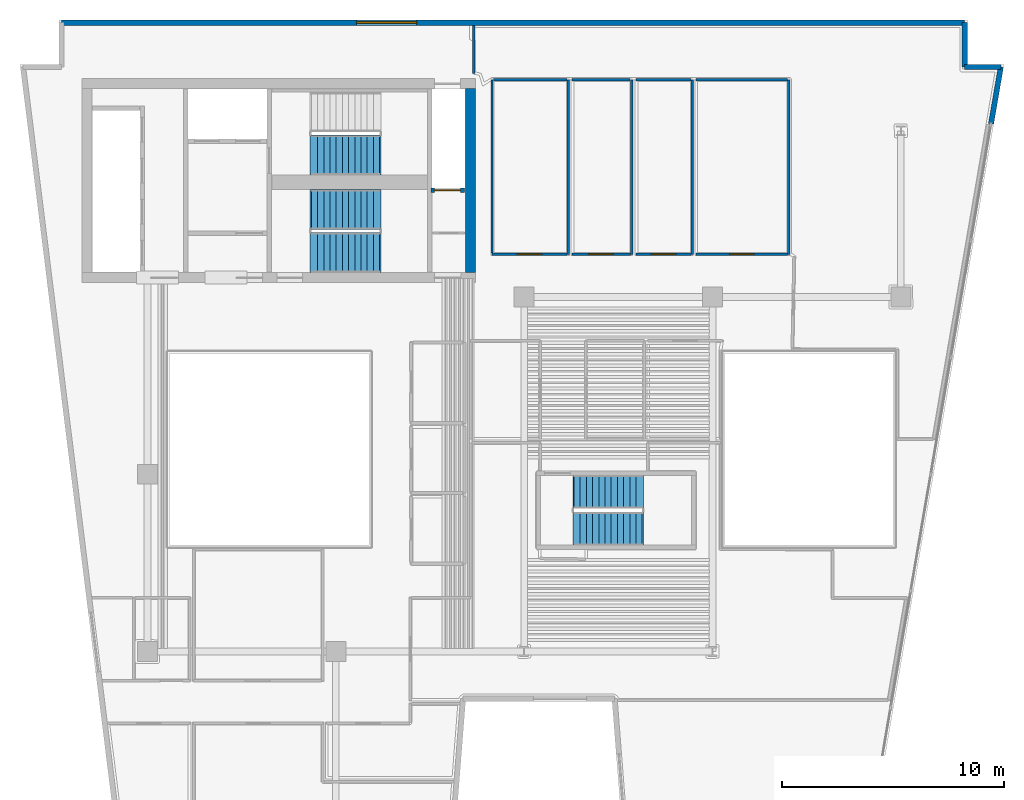
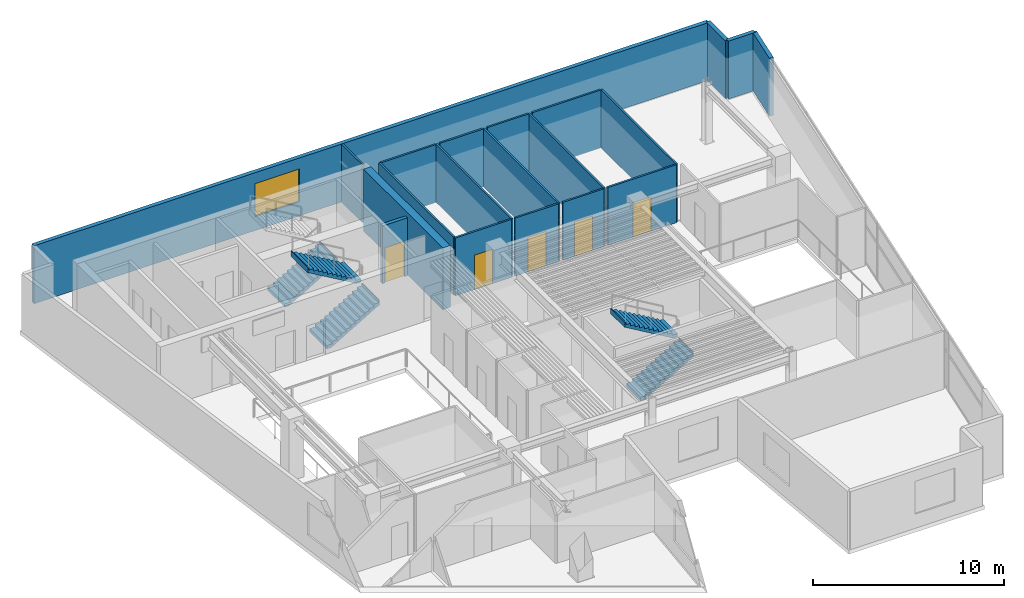
# One storey, part 6 of 10: 20 walls, 5 doors, 5 stair flights, 1 window, 6 openings, 3 elements without a shape of their own.
"""IFC4 building model written with IfcOpenShell, lengths in metres."""

from ifc_helpers import new_model, si_unit, direction, frame, frame_2d, origin, place, context, subcontext, project, spatial, polyline, rectangle, outline, extrude, material, layer, layer_set, type_object, element, fill, aggregate, save


model = new_model("IFC4")

# Units and contexts
model_context = context("Model", 3, precision=1e-05, world=origin(), true_north=direction((0.0, 1.0)))
body_context = subcontext(model_context, "Body", "Model", "MODEL_VIEW")
ifc_project = project(units=[si_unit("LENGTHUNIT", "METRE"), si_unit("AREAUNIT", "SQUARE_METRE"), si_unit("VOLUMEUNIT", "CUBIC_METRE"), si_unit("PLANEANGLEUNIT", "RADIAN"), si_unit("MASSUNIT", "GRAM", prefix="KILO")], contexts=[model_context])

# Site, building, storey
site_placement = place(None, origin())
site = spatial("IfcSite", under=ifc_project, at=site_placement, CompositionType="ELEMENT")
building_placement = place(site_placement, origin())
building = spatial("IfcBuilding", under=site, at=building_placement, Name="Caeloran Harvest Quay", CompositionType="ELEMENT")
storey_placement = place(building_placement, frame((0.0, 0.0, 223.25)))
storey = spatial("IfcBuildingStorey", under=building, at=storey_placement, Name="L53", CompositionType="ELEMENT", Elevation=223.25)

# Wall, opening, window
ifc_material_1 = material(Name="Precast concrete C50/60", Category="concrete")
ifc_layer_1 = layer(ifc_material_1, 0.239990234375, Name="Precast concrete C50/60")
ifc_layer_set_1 = layer_set([ifc_layer_1], Name="Precast concrete C50/60")
wall_type_1 = type_object("IfcWallType", Name="ENV-WALL-EW-240", PredefinedType="STANDARD", material=ifc_layer_set_1)
wall_1_placement = place(storey_placement, frame((4.6201171875, 43.3798828125, 0.0), z_axis=(0.0, 0.0, 1.0), x_axis=(1.0, 0.0, 0.0)))
wall_1 = element("IfcWall", 1, at=wall_1_placement, inside=storey, type_object=wall_type_1, Name="L53 Exterior Precast Concrete Facade Wall 6", PredefinedType="STANDARD", context=body_context, shape_type="SweptSolid", body=[
    extrude(rectangle(XDim=40.759765625, YDim=0.239990234375, at=frame_2d((20.3798828125, 0.0))), origin(), (0.0, 0.0, 1.0), 3.699951171875),
])
opening_1_placement = place(wall_1_placement, frame((13.323974609375, 0.0, 0.89990234375)))
opening_1 = element("IfcOpeningElement", 2, at=opening_1_placement, cuts=wall_1, Name="Opening W-07", PredefinedType="OPENING", context=body_context, shape_type="SweptSolid", body=[
    extrude(rectangle(XDim=2.699951171875, YDim=2.10009765625, at=frame_2d((1.35009765625, 1.050048828125))), frame((0.0, 0.1298828125, 0.0), z_axis=(0.0, -1.0, 0.0), x_axis=(1.0, 0.0, 0.0)), (0.0, 0.0, 1.0), 0.260009765625),
])
ifc_material_2 = material(Name="Aluminium-Framed Low-E Laminated Glass", Category="aluminium")
window_type = type_object("IfcWindowType", Name="WIN-W-07", PartitioningType="DOUBLE_PANEL_VERTICAL", PredefinedType="WINDOW", material=ifc_material_2)
window_placement = place(opening_1_placement, origin())
window = element("IfcWindow", 3, at=window_placement, inside=storey, type_object=window_type, Name="L53 Facade Punched Window W-07", OverallHeight=2.10009765625, OverallWidth=2.699951171875, PartitioningType="DOUBLE_PANEL_VERTICAL", PredefinedType="WINDOW", context=body_context, shape_type="SweptSolid", body=[
    extrude(rectangle(XDim=2.699951171875, YDim=2.10009765625, at=frame_2d((1.35009765625, 1.050048828125))), frame((0.0, 0.030029296875, 0.0), z_axis=(0.0, -1.0, 0.0), x_axis=(1.0, 0.0, 0.0)), (0.0, 0.0, 1.0), 0.06005859375),
])
fill(opening_1, window)

# Walls
wall_2_placement = place(storey_placement, frame((45.3798828125, 43.3798828125, 0.0), z_axis=(0.0, 0.0, 1.0), x_axis=(0.0, -1.0, 0.0)))
element("IfcWall", 4, at=wall_2_placement, inside=storey, type_object=wall_type_1, Name="L53 Exterior Precast Concrete Facade Wall 7", PredefinedType="STANDARD", context=body_context, shape_type="SweptSolid", body=[
    extrude(rectangle(XDim=2.0, YDim=0.239990234375, at=frame_2d((1.0, 0.0))), origin(), (0.0, 0.0, 1.0), 3.699951171875),
])
wall_3_placement = place(storey_placement, frame((45.3798828125, 41.3798828125, 0.0), z_axis=(0.0, 0.0, 1.0), x_axis=(1.0, 0.0, 0.0)))
element("IfcWall", 5, at=wall_3_placement, inside=storey, type_object=wall_type_1, Name="L53 Exterior Precast Concrete Facade Wall 8", PredefinedType="STANDARD", context=body_context, shape_type="SweptSolid", body=[
    extrude(rectangle(XDim=1.634033203125, YDim=0.239990234375, at=frame_2d((0.81689453125, 0.0))), origin(), (0.0, 0.0, 1.0), 3.699951171875),
])
wall_4_placement = place(storey_placement, frame((47.013916015625, 41.3798828125, 0.0), z_axis=(0.0, 0.0, 1.0), x_axis=(-0.169406892601, -0.985546196147, 0.0)))
element("IfcWall", 6, at=wall_4_placement, inside=storey, type_object=wall_type_1, Name="L53 Exterior Facade Corner Pier Wall 9A", PredefinedType="STANDARD", context=body_context, shape_type="SweptSolid", body=[
    extrude(rectangle(XDim=2.599853515625, YDim=0.239990234375, at=frame_2d((1.2998046875, 0.0))), origin(), (0.0, 0.0, 1.0), 3.699951171875),
])
ifc_material_3 = material(Name="Single-Stud Acoustic Gypsum Office Partition", Category="gypsum")
ifc_layer_2 = layer(ifc_material_3, 0.112060546875, Name="Single-Stud Acoustic Gypsum Office Partition")
ifc_layer_set_2 = layer_set([ifc_layer_2], Name="Single-Stud Acoustic Gypsum Office Partition")
wall_type_2 = type_object("IfcWallType", Name="INT-WALL-PW-112", PredefinedType="PARTITIONING", material=ifc_layer_set_2)
wall_5_placement = place(storey_placement, frame((27.5, 40.800048828125, 0.0), z_axis=(0.0, 0.0, 1.0), x_axis=(0.0, -1.0, 0.0)))
element("IfcWall", 7, at=wall_5_placement, inside=storey, type_object=wall_type_2, Name="L53 Bioinformatics Briefing Lounge Partition Wall", PredefinedType="PARTITIONING", context=body_context, shape_type="SweptSolid", body=[
    extrude(rectangle(XDim=7.880126953125, YDim=0.112060546875, at=frame_2d((3.93994140625, 0.0))), origin(), (0.0, 0.0, 1.0), 3.699951171875),
])

# Wall, opening, door
wall_6_placement = place(storey_placement, frame((27.43896484375, 32.919921875, 0.0), z_axis=(0.0, 0.0, 1.0), x_axis=(-1.0, 0.0, 0.0)))
wall_6 = element("IfcWall", 8, at=wall_6_placement, inside=storey, type_object=wall_type_2, Name="L53 Bioinformatics Briefing Lounge Partition Wall", PredefinedType="PARTITIONING", context=body_context, shape_type="SweptSolid", body=[
    extrude(rectangle(XDim=3.388916015625, YDim=0.112060546875, at=frame_2d((1.6943359375, 0.0))), origin(), (0.0, 0.0, 1.0), 3.699951171875),
])
opening_2_placement = place(wall_6_placement, frame((1.14453125, 0.0, 0.0)))
opening_2 = element("IfcOpeningElement", 9, at=opening_2_placement, cuts=wall_6, Name="Opening ID-04", PredefinedType="OPENING", context=body_context, shape_type="SweptSolid", body=[
    extrude(rectangle(XDim=1.10009765625, YDim=2.199951171875, at=frame_2d((0.550048828125, 1.10009765625))), frame((0.0, 0.06591796875, 0.0), z_axis=(0.0, -1.0, 0.0), x_axis=(1.0, 0.0, 0.0)), (0.0, 0.0, 1.0), 0.132080078125),
])
ifc_material_4 = material(Name="Acoustic Walnut Veneer Executive Door", Category="wood")
door_type_1 = type_object("IfcDoorType", Name="INTDOOR-ID-04", OperationType="NOTDEFINED", PredefinedType="DOOR", material=ifc_material_4)
door_1_placement = place(opening_2_placement, origin())
door_1 = element("IfcDoor", 10, at=door_1_placement, inside=storey, type_object=door_type_1, Name="L53 Bioinformatics Briefing Lounge Access Door", OperationType="SINGLE_SWING_LEFT", OverallHeight=2.199951171875, OverallWidth=1.10009765625, PredefinedType="DOOR", context=body_context, shape_type="SweptSolid", body=[
    extrude(rectangle(XDim=1.10009765625, YDim=2.199951171875, at=frame_2d((0.550048828125, 1.10009765625))), frame((0.0, 0.02490234375, 0.0), z_axis=(0.0, -1.0, 0.0), x_axis=(1.0, 0.0, 0.0)), (0.0, 0.0, 1.0), 0.050048828125),
])
fill(opening_2, door_1)

# Walls
wall_7_placement = place(storey_placement, frame((24.050048828125, 32.98095703125, 0.0), z_axis=(0.0, 0.0, 1.0), x_axis=(0.0, 1.0, 0.0)))
element("IfcWall", 11, at=wall_7_placement, inside=storey, type_object=wall_type_2, Name="L53 Bioinformatics Briefing Lounge Partition Wall", PredefinedType="PARTITIONING", context=body_context, shape_type="SweptSolid", body=[
    extrude(rectangle(XDim=7.819091796875, YDim=0.112060546875, at=frame_2d((3.90966796875, 0.0))), origin(), (0.0, 0.0, 1.0), 3.699951171875),
])
wall_8_placement = place(storey_placement, frame((24.111083984375, 40.800048828125, 0.0), z_axis=(0.0, 0.0, 1.0), x_axis=(1.0, 0.0, 0.0)))
element("IfcWall", 12, at=wall_8_placement, inside=storey, type_object=wall_type_2, Name="L53 Bioinformatics Briefing Lounge Partition Wall", PredefinedType="PARTITIONING", context=body_context, shape_type="SweptSolid", body=[
    extrude(rectangle(XDim=3.327880859375, YDim=0.112060546875, at=frame_2d((1.6640625, 0.0))), origin(), (0.0, 0.0, 1.0), 3.699951171875),
])
wall_9_placement = place(storey_placement, frame((30.35009765625, 40.800048828125, 0.0), z_axis=(0.0, 0.0, 1.0), x_axis=(0.0, -1.0, 0.0)))
element("IfcWall", 13, at=wall_9_placement, inside=storey, type_object=wall_type_2, Name="L53 Seed Imaging Laboratory Partition Wall", PredefinedType="PARTITIONING", context=body_context, shape_type="SweptSolid", body=[
    extrude(rectangle(XDim=7.880126953125, YDim=0.112060546875, at=frame_2d((3.93994140625, 0.0))), origin(), (0.0, 0.0, 1.0), 3.699951171875),
])

# Wall, opening, door
wall_10_placement = place(storey_placement, frame((30.2890625, 32.919921875, 0.0), z_axis=(0.0, 0.0, 1.0), x_axis=(-1.0, 0.0, 0.0)))
wall_10 = element("IfcWall", 14, at=wall_10_placement, inside=storey, type_object=wall_type_2, Name="L53 Seed Imaging Laboratory Partition Wall", PredefinedType="PARTITIONING", context=body_context, shape_type="SweptSolid", body=[
    extrude(rectangle(XDim=2.629150390625, YDim=0.112060546875, at=frame_2d((1.314453125, 0.0))), origin(), (0.0, 0.0, 1.0), 3.699951171875),
])
opening_3_placement = place(wall_10_placement, frame((0.764404296875, 0.0, 0.0)))
opening_3 = element("IfcOpeningElement", 15, at=opening_3_placement, cuts=wall_10, Name="Opening ID-04", PredefinedType="OPENING", context=body_context, shape_type="SweptSolid", body=[
    extrude(rectangle(XDim=1.10009765625, YDim=2.199951171875, at=frame_2d((0.550048828125, 1.10009765625))), frame((0.0, 0.06591796875, 0.0), z_axis=(0.0, -1.0, 0.0), x_axis=(1.0, 0.0, 0.0)), (0.0, 0.0, 1.0), 0.132080078125),
])
door_2_placement = place(opening_3_placement, origin())
door_2 = element("IfcDoor", 16, at=door_2_placement, inside=storey, type_object=door_type_1, Name="L53 Seed Imaging Laboratory Access Door", OperationType="SINGLE_SWING_RIGHT", OverallHeight=2.199951171875, OverallWidth=1.10009765625, PredefinedType="DOOR", context=body_context, shape_type="SweptSolid", body=[
    extrude(rectangle(XDim=1.10009765625, YDim=2.199951171875, at=frame_2d((0.550048828125, 1.10009765625))), frame((0.0, 0.02490234375, 0.0), z_axis=(0.0, -1.0, 0.0), x_axis=(1.0, 0.0, 0.0)), (0.0, 0.0, 1.0), 0.050048828125),
])
fill(opening_3, door_2)

# Walls
wall_11_placement = place(storey_placement, frame((27.659912109375, 40.800048828125, 0.0), z_axis=(0.0, 0.0, 1.0), x_axis=(1.0, 0.0, 0.0)))
element("IfcWall", 17, at=wall_11_placement, inside=storey, type_object=wall_type_2, Name="L53 Seed Imaging Laboratory Partition Wall", PredefinedType="PARTITIONING", context=body_context, shape_type="SweptSolid", body=[
    extrude(rectangle(XDim=2.629150390625, YDim=0.112060546875, at=frame_2d((1.314453125, 0.0))), origin(), (0.0, 0.0, 1.0), 3.699951171875),
])
wall_12_placement = place(storey_placement, frame((33.090087890625, 40.800048828125, 0.0), z_axis=(0.0, 0.0, 1.0), x_axis=(0.0, -1.0, 0.0)))
element("IfcWall", 18, at=wall_12_placement, inside=storey, type_object=wall_type_2, Name="L53 Genomics Seminar West Room Partition Wall", PredefinedType="PARTITIONING", context=body_context, shape_type="SweptSolid", body=[
    extrude(rectangle(XDim=7.880126953125, YDim=0.112060546875, at=frame_2d((3.93994140625, 0.0))), origin(), (0.0, 0.0, 1.0), 3.699951171875),
])

# Wall, opening, door
wall_13_placement = place(storey_placement, frame((33.029052734375, 32.919921875, 0.0), z_axis=(0.0, 0.0, 1.0), x_axis=(-1.0, 0.0, 0.0)))
wall_13 = element("IfcWall", 19, at=wall_13_placement, inside=storey, type_object=wall_type_2, Name="L53 Genomics Seminar West Room Partition Wall", PredefinedType="PARTITIONING", context=body_context, shape_type="SweptSolid", body=[
    extrude(rectangle(XDim=2.47900390625, YDim=0.112060546875, at=frame_2d((1.239501953125, 0.0))), origin(), (0.0, 0.0, 1.0), 3.699951171875),
])
opening_4_placement = place(wall_13_placement, frame((0.689453125, 0.0, 0.0)))
opening_4 = element("IfcOpeningElement", 20, at=opening_4_placement, cuts=wall_13, Name="Opening ID-04", PredefinedType="OPENING", context=body_context, shape_type="SweptSolid", body=[
    extrude(rectangle(XDim=1.10009765625, YDim=2.199951171875, at=frame_2d((0.550048828125, 1.10009765625))), frame((0.0, 0.06591796875, 0.0), z_axis=(0.0, -1.0, 0.0), x_axis=(1.0, 0.0, 0.0)), (0.0, 0.0, 1.0), 0.132080078125),
])
door_3_placement = place(opening_4_placement, origin())
door_3 = element("IfcDoor", 21, at=door_3_placement, inside=storey, type_object=door_type_1, Name="L53 Genomics Seminar West Room Access Door", OperationType="SINGLE_SWING_LEFT", OverallHeight=2.199951171875, OverallWidth=1.10009765625, PredefinedType="DOOR", context=body_context, shape_type="SweptSolid", body=[
    extrude(rectangle(XDim=1.10009765625, YDim=2.199951171875, at=frame_2d((0.550048828125, 1.10009765625))), frame((0.0, 0.02490234375, 0.0), z_axis=(0.0, -1.0, 0.0), x_axis=(1.0, 0.0, 0.0)), (0.0, 0.0, 1.0), 0.050048828125),
])
fill(opening_4, door_3)

# Walls
wall_14_placement = place(storey_placement, frame((30.550048828125, 40.800048828125, 0.0), z_axis=(0.0, 0.0, 1.0), x_axis=(1.0, 0.0, 0.0)))
element("IfcWall", 22, at=wall_14_placement, inside=storey, type_object=wall_type_2, Name="L53 Genomics Seminar West Room Partition Wall", PredefinedType="PARTITIONING", context=body_context, shape_type="SweptSolid", body=[
    extrude(rectangle(XDim=2.47900390625, YDim=0.112060546875, at=frame_2d((1.239501953125, 0.0))), origin(), (0.0, 0.0, 1.0), 3.699951171875),
])
wall_15_placement = place(storey_placement, frame((37.449951171875, 40.800048828125, 0.0), z_axis=(0.0, 0.0, 1.0), x_axis=(0.0, -1.0, 0.0)))
element("IfcWall", 23, at=wall_15_placement, inside=storey, type_object=wall_type_2, Name="L53 Executive Archive East Studio Partition Wall", PredefinedType="PARTITIONING", context=body_context, shape_type="SweptSolid", body=[
    extrude(rectangle(XDim=7.880126953125, YDim=0.112060546875, at=frame_2d((3.93994140625, 0.0))), origin(), (0.0, 0.0, 1.0), 3.699951171875),
])

# Wall, opening, door
wall_16_placement = place(storey_placement, frame((37.388916015625, 32.919921875, 0.0), z_axis=(0.0, 0.0, 1.0), x_axis=(-1.0, 0.0, 0.0)))
wall_16 = element("IfcWall", 24, at=wall_16_placement, inside=storey, type_object=wall_type_2, Name="L53 Executive Archive East Studio Partition Wall", PredefinedType="PARTITIONING", context=body_context, shape_type="SweptSolid", body=[
    extrude(rectangle(XDim=4.138916015625, YDim=0.112060546875, at=frame_2d((2.0693359375, 0.0))), origin(), (0.0, 0.0, 1.0), 3.699951171875),
])
opening_5_placement = place(wall_16_placement, frame((1.51953125, 0.0, 0.0)))
opening_5 = element("IfcOpeningElement", 25, at=opening_5_placement, cuts=wall_16, Name="Opening ID-04", PredefinedType="OPENING", context=body_context, shape_type="SweptSolid", body=[
    extrude(rectangle(XDim=1.10009765625, YDim=2.199951171875, at=frame_2d((0.550048828125, 1.10009765625))), frame((0.0, 0.06591796875, 0.0), z_axis=(0.0, -1.0, 0.0), x_axis=(1.0, 0.0, 0.0)), (0.0, 0.0, 1.0), 0.132080078125),
])
door_4_placement = place(opening_5_placement, origin())
door_4 = element("IfcDoor", 26, at=door_4_placement, inside=storey, type_object=door_type_1, Name="L53 Executive Archive East Studio Access Door", OperationType="SINGLE_SWING_RIGHT", OverallHeight=2.199951171875, OverallWidth=1.10009765625, PredefinedType="DOOR", context=body_context, shape_type="SweptSolid", body=[
    extrude(rectangle(XDim=1.10009765625, YDim=2.199951171875, at=frame_2d((0.550048828125, 1.10009765625))), frame((0.0, 0.02490234375, 0.0), z_axis=(0.0, -1.0, 0.0), x_axis=(1.0, 0.0, 0.0)), (0.0, 0.0, 1.0), 0.050048828125),
])
fill(opening_5, door_4)

# Walls
wall_17_placement = place(storey_placement, frame((33.25, 40.800048828125, 0.0), z_axis=(0.0, 0.0, 1.0), x_axis=(1.0, 0.0, 0.0)))
element("IfcWall", 27, at=wall_17_placement, inside=storey, type_object=wall_type_2, Name="L53 Executive Archive East Studio Partition Wall", PredefinedType="PARTITIONING", context=body_context, shape_type="SweptSolid", body=[
    extrude(rectangle(XDim=4.138916015625, YDim=0.112060546875, at=frame_2d((2.0693359375, 0.0))), origin(), (0.0, 0.0, 1.0), 3.699951171875),
])
wall_18_placement = place(storey_placement, frame((23.22998046875, 41.093017578125, 0.0), z_axis=(0.0, 0.0, 1.0), x_axis=(0.0, 1.0, 0.0)))
element("IfcWall", 28, at=wall_18_placement, inside=storey, type_object=wall_type_2, Name="Portfolio Catering Kitchen 10 Partition Wall", PredefinedType="PARTITIONING", context=body_context, shape_type="SweptSolid", body=[
    extrude(rectangle(XDim=2.161865234375, YDim=0.112060546875, at=frame_2d((1.0810546875, 0.0))), origin(), (0.0, 0.0, 1.0), 3.699951171875),
])

# Wall, opening, door
ifc_material_5 = material(Name="Concrete C50/60", Category="concrete")
ifc_layer_3 = layer(ifc_material_5, 0.199951171875, Name="Concrete C50/60")
ifc_layer_set_3 = layer_set([ifc_layer_3], Name="Concrete C50/60")
wall_type_3 = type_object("IfcWallType", Name="INT-WALL-SW-200", PredefinedType="PARTITIONING", material=ifc_layer_set_3)
wall_19_placement = place(storey_placement, frame((21.300048828125, 35.820068359375, 0.0), z_axis=(0.0, 0.0, 1.0), x_axis=(1.0, 0.0, 0.0)))
wall_19 = element("IfcWall", 29, at=wall_19_placement, inside=storey, type_object=wall_type_3, Name="L53 Service Lift SV-2 Shaft Wall", PredefinedType="PARTITIONING", context=body_context, shape_type="SweptSolid", body=[
    extrude(rectangle(XDim=1.5, YDim=0.199951171875, at=frame_2d((0.75, 0.0))), origin(), (0.0, 0.0, 1.0), 3.699951171875),
])
opening_6_placement = place(wall_19_placement, frame((0.14501953125, 0.0, 0.0)))
opening_6 = element("IfcOpeningElement", 30, at=opening_6_placement, cuts=wall_19, Name="Opening LD-02", PredefinedType="OPENING", context=body_context, shape_type="SweptSolid", body=[
    extrude(rectangle(XDim=1.179931640625, YDim=2.25, at=frame_2d((0.58984375, 1.125))), frame((0.0, 0.10986328125, 0.0), z_axis=(0.0, -1.0, 0.0), x_axis=(1.0, 0.0, 0.0)), (0.0, 0.0, 1.0), 0.219970703125),
])
ifc_material_6 = material(Name="Stainless Steel Grade 316", Category="steel")
door_type_2 = type_object("IfcDoorType", Name="INTDOOR-LD-02", OperationType="NOTDEFINED", PredefinedType="DOOR", material=ifc_material_6)
door_5_placement = place(opening_6_placement, origin())
door_5 = element("IfcDoor", 31, at=door_5_placement, inside=storey, type_object=door_type_2, Name="Lift SV-2 Sliding Landing Door (L53)", OperationType="DOUBLE_DOOR_SLIDING", OverallHeight=2.25, OverallWidth=1.179931640625, PredefinedType="DOOR", context=body_context, shape_type="SweptSolid", body=[
    extrude(rectangle(XDim=1.179931640625, YDim=2.25, at=frame_2d((0.58984375, 1.125))), frame((0.0, 0.02490234375, 0.0), z_axis=(0.0, -1.0, 0.0), x_axis=(1.0, 0.0, 0.0)), (0.0, 0.0, 1.0), 0.050048828125),
])
fill(opening_6, door_5)

# Wall
ifc_material_7 = material(Name="Concrete C60/75", Category="concrete")
ifc_layer_4 = layer(ifc_material_7, 0.449951171875, Name="Concrete C60/75")
ifc_layer_set_4 = layer_set([ifc_layer_4], Name="Concrete C60/75")
wall_type_4 = type_object("IfcWallType", Name="STR-WALL-CW-450", PredefinedType="SHEAR", material=ifc_layer_set_4)
wall_20_placement = place(storey_placement, frame((23.074951171875, 32.10009765625, 0.0), z_axis=(0.0, 0.0, 1.0), x_axis=(0.0, 1.0, 0.0)))
element("IfcWall", 32, at=wall_20_placement, inside=storey, type_object=wall_type_4, Name="L53 Rear Core Shear Wall E", PredefinedType="SHEAR", context=body_context, shape_type="SweptSolid", body=[
    extrude(rectangle(XDim=8.2998046875, YDim=0.449951171875, at=frame_2d((4.14990234375, 0.0))), origin(), (0.0, 0.0, 1.0), 3.949951171875),
])

# Stair, stair flight
stair_type_1 = type_object("IfcStairType", Name="STAIR-STC-180", PredefinedType="HALF_TURN_STAIR", material=ifc_material_5)
stair_1_placement = place(storey_placement, origin())
stair_1 = element("IfcStair", 33, at=stair_1_placement, inside=storey, type_object=stair_type_1, Name="L53 Core Pressurized Exit Stair ST-C1", PredefinedType="HALF_TURN_STAIR")
stair_flight_type_1 = type_object("IfcStairFlightType", Name="FLIGHT-STC-180", PredefinedType="STRAIGHT", material=ifc_material_5)
stair_flight_1_placement = place(storey_placement, frame((15.89990234375, 37.39990234375, 0.0), z_axis=(0.0, 0.0, 1.0), x_axis=(1.0, 0.0, 0.0)))
stair_flight_1 = element("IfcStairFlight", 34, at=stair_flight_1_placement, type_object=stair_flight_type_1, Name="ST-C1 flight 1", NumberOfRisers=12, NumberOfTreads=11, PredefinedType="STRAIGHT", RiserHeight=0.164583333, TreadLength=0.28, context=body_context, shape_type="SweptSolid", body=[
    extrude(outline(polyline([(-0.054931640625, -0.044921875), (-0.054931640625, -0.031982421875), (-0.054931640625, -0.018798828125), (-0.054931640625, -0.005615234375), (-0.054931640625, 0.00732421875), (-0.054931640625, 0.0205078125), (-0.054931640625, 0.03369140625), (-0.054931640625, 0.046630859375), (-0.054931640625, 0.059814453125), (-0.054931640625, 0.072998046875), (-0.054931640625, 0.0859375), (-0.054931640625, 0.09912109375), (-0.054931640625, 0.1123046875), (-0.054931640625, 0.125244140625), (-0.054931640625, 0.138427734375), (-0.054931640625, 0.1513671875), (-0.054931640625, 0.16455078125), (0.280029296875, 0.16455078125), (0.280029296875, 0.3291015625), (0.56005859375, 0.3291015625), (0.56005859375, 0.49365234375), (0.840087890625, 0.49365234375), (0.840087890625, 0.658447265625), (1.1201171875, 0.658447265625), (1.1201171875, 0.822998046875), (1.39990234375, 0.822998046875), (1.39990234375, 0.987548828125), (1.679931640625, 0.987548828125), (1.679931640625, 1.152099609375), (1.9599609375, 1.152099609375), (1.9599609375, 1.316650390625), (2.239990234375, 1.316650390625), (2.239990234375, 1.481201171875), (2.52001953125, 1.481201171875), (2.52001953125, 1.645751953125), (2.800048828125, 1.645751953125), (2.800048828125, 1.810302734375), (3.080078125, 1.810302734375), (3.080078125, 1.97509765625), (3.135009765625, 1.97509765625), (3.135009765625, 1.953857421875), (3.135009765625, 1.9326171875), (3.135009765625, 1.91162109375), (3.135009765625, 1.890380859375), (3.135009765625, 1.869140625), (3.135009765625, 1.84814453125), (3.135009765625, 1.826904296875), (3.135009765625, 1.8056640625), (3.135009765625, 1.78466796875), (3.135009765625, 1.763427734375), (3.135009765625, 1.7421875), (3.135009765625, 1.72119140625), (3.135009765625, 1.699951171875), (3.135009765625, 1.678955078125), (3.135009765625, 1.65771484375), (3.135009765625, 1.636474609375), (3.080078125, 1.636474609375), (0.21923828125, -0.044921875), (-0.054931640625, -0.044921875)])), frame((0.0, 0.89990234375, 0.0), z_axis=(0.0, -1.0, 0.0), x_axis=(1.0, 0.0, 0.0)), (0.0, 0.0, 1.0), 1.800048828125),
])
aggregate(stair_1, [stair_flight_1])

# Stair, stair flights
stair_2_placement = place(storey_placement, origin())
stair_2 = element("IfcStair", 35, at=stair_2_placement, inside=storey, type_object=stair_type_1, Name="L53 Core Pressurized Exit Stair ST-C2", PredefinedType="HALF_TURN_STAIR")
stair_flight_2_placement = place(storey_placement, frame((15.89990234375, 33.0, 0.0), z_axis=(0.0, 0.0, 1.0), x_axis=(1.0, 0.0, 0.0)))
stair_flight_2 = element("IfcStairFlight", 36, at=stair_flight_2_placement, type_object=stair_flight_type_1, Name="ST-C2 flight 1", NumberOfRisers=12, NumberOfTreads=11, PredefinedType="STRAIGHT", RiserHeight=0.164583333, TreadLength=0.28, context=body_context, shape_type="SweptSolid", body=[
    extrude(outline(polyline([(-0.054931640625, -0.044921875), (-0.054931640625, -0.031982421875), (-0.054931640625, -0.018798828125), (-0.054931640625, -0.005615234375), (-0.054931640625, 0.00732421875), (-0.054931640625, 0.0205078125), (-0.054931640625, 0.03369140625), (-0.054931640625, 0.046630859375), (-0.054931640625, 0.059814453125), (-0.054931640625, 0.072998046875), (-0.054931640625, 0.0859375), (-0.054931640625, 0.09912109375), (-0.054931640625, 0.1123046875), (-0.054931640625, 0.125244140625), (-0.054931640625, 0.138427734375), (-0.054931640625, 0.1513671875), (-0.054931640625, 0.16455078125), (0.280029296875, 0.16455078125), (0.280029296875, 0.3291015625), (0.56005859375, 0.3291015625), (0.56005859375, 0.49365234375), (0.840087890625, 0.49365234375), (0.840087890625, 0.658447265625), (1.1201171875, 0.658447265625), (1.1201171875, 0.822998046875), (1.39990234375, 0.822998046875), (1.39990234375, 0.987548828125), (1.679931640625, 0.987548828125), (1.679931640625, 1.152099609375), (1.9599609375, 1.152099609375), (1.9599609375, 1.316650390625), (2.239990234375, 1.316650390625), (2.239990234375, 1.481201171875), (2.52001953125, 1.481201171875), (2.52001953125, 1.645751953125), (2.800048828125, 1.645751953125), (2.800048828125, 1.810302734375), (3.080078125, 1.810302734375), (3.080078125, 1.97509765625), (3.135009765625, 1.97509765625), (3.135009765625, 1.953857421875), (3.135009765625, 1.9326171875), (3.135009765625, 1.91162109375), (3.135009765625, 1.890380859375), (3.135009765625, 1.869140625), (3.135009765625, 1.84814453125), (3.135009765625, 1.826904296875), (3.135009765625, 1.8056640625), (3.135009765625, 1.78466796875), (3.135009765625, 1.763427734375), (3.135009765625, 1.7421875), (3.135009765625, 1.72119140625), (3.135009765625, 1.699951171875), (3.135009765625, 1.678955078125), (3.135009765625, 1.65771484375), (3.135009765625, 1.636474609375), (3.080078125, 1.636474609375), (0.21923828125, -0.044921875), (-0.054931640625, -0.044921875)])), frame((0.0, 0.89990234375, 0.0), z_axis=(0.0, -1.0, 0.0), x_axis=(1.0, 0.0, 0.0)), (0.0, 0.0, 1.0), 1.800048828125),
])
stair_flight_3_placement = place(storey_placement, frame((18.97998046875, 34.949951171875, 1.97509765625), z_axis=(0.0, 0.0, 1.0), x_axis=(-1.0, 0.0, 0.0)))
stair_flight_3 = element("IfcStairFlight", 37, at=stair_flight_3_placement, type_object=stair_flight_type_1, Name="ST-C2 flight 2", NumberOfRisers=12, NumberOfTreads=11, PredefinedType="STRAIGHT", RiserHeight=0.164583333, TreadLength=0.28, context=body_context, shape_type="SweptSolid", body=[
    extrude(outline(polyline([(-0.054931640625, -0.044921875), (-0.054931640625, -0.031982421875), (-0.054931640625, -0.018798828125), (-0.054931640625, -0.005615234375), (-0.054931640625, 0.00732421875), (-0.054931640625, 0.0205078125), (-0.054931640625, 0.03369140625), (-0.054931640625, 0.046630859375), (-0.054931640625, 0.059814453125), (-0.054931640625, 0.072998046875), (-0.054931640625, 0.0859375), (-0.054931640625, 0.09912109375), (-0.054931640625, 0.1123046875), (-0.054931640625, 0.125244140625), (-0.054931640625, 0.138427734375), (-0.054931640625, 0.1513671875), (-0.054931640625, 0.16455078125), (0.280029296875, 0.16455078125), (0.280029296875, 0.3291015625), (0.56005859375, 0.3291015625), (0.56005859375, 0.49365234375), (0.840087890625, 0.49365234375), (0.840087890625, 0.658447265625), (1.1201171875, 0.658447265625), (1.1201171875, 0.822998046875), (1.39990234375, 0.822998046875), (1.39990234375, 0.987548828125), (1.679931640625, 0.987548828125), (1.679931640625, 1.152099609375), (1.9599609375, 1.152099609375), (1.9599609375, 1.316650390625), (2.239990234375, 1.316650390625), (2.239990234375, 1.481201171875), (2.52001953125, 1.481201171875), (2.52001953125, 1.645751953125), (2.800048828125, 1.645751953125), (2.800048828125, 1.810302734375), (3.080078125, 1.810302734375), (3.080078125, 1.97509765625), (3.135009765625, 1.97509765625), (3.135009765625, 1.953857421875), (3.135009765625, 1.9326171875), (3.135009765625, 1.91162109375), (3.135009765625, 1.890380859375), (3.135009765625, 1.869140625), (3.135009765625, 1.84814453125), (3.135009765625, 1.826904296875), (3.135009765625, 1.8056640625), (3.135009765625, 1.78466796875), (3.135009765625, 1.763427734375), (3.135009765625, 1.7421875), (3.135009765625, 1.72119140625), (3.135009765625, 1.699951171875), (3.135009765625, 1.678955078125), (3.135009765625, 1.65771484375), (3.135009765625, 1.636474609375), (3.080078125, 1.636474609375), (0.21923828125, -0.044921875), (-0.054931640625, -0.044921875)])), frame((0.0, 0.89990234375, 0.0), z_axis=(0.0, -1.0, 0.0), x_axis=(1.0, 0.0, 0.0)), (0.0, 0.0, 1.0), 1.800048828125),
])
aggregate(stair_2, [stair_flight_2, stair_flight_3])

stair_type_2 = type_object("IfcStairType", Name="STAIR-STW-150", PredefinedType="HALF_TURN_STAIR", material=ifc_material_5)
stair_3_placement = place(storey_placement, origin())
stair_3 = element("IfcStair", 38, at=stair_3_placement, inside=storey, type_object=stair_type_2, Name="L53 East Wing Protected Exit Stair ST-W1", PredefinedType="HALF_TURN_STAIR")
stair_flight_type_2 = type_object("IfcStairFlightType", Name="FLIGHT-STW-150", PredefinedType="STRAIGHT", material=ifc_material_5)
stair_flight_4_placement = place(storey_placement, frame((27.75, 20.550048828125, 0.0), z_axis=(0.0, 0.0, 1.0), x_axis=(1.0, 0.0, 0.0)))
stair_flight_4 = element("IfcStairFlight", 39, at=stair_flight_4_placement, type_object=stair_flight_type_2, Name="ST-W1 flight 1", NumberOfRisers=12, NumberOfTreads=11, PredefinedType="STRAIGHT", RiserHeight=0.164583333, TreadLength=0.28, context=body_context, shape_type="SweptSolid", body=[
    extrude(outline(polyline([(-0.054931640625, -0.044921875), (-0.054931640625, -0.031982421875), (-0.054931640625, -0.018798828125), (-0.054931640625, -0.005615234375), (-0.054931640625, 0.00732421875), (-0.054931640625, 0.0205078125), (-0.054931640625, 0.03369140625), (-0.054931640625, 0.046630859375), (-0.054931640625, 0.059814453125), (-0.054931640625, 0.072998046875), (-0.054931640625, 0.0859375), (-0.054931640625, 0.09912109375), (-0.054931640625, 0.1123046875), (-0.054931640625, 0.125244140625), (-0.054931640625, 0.138427734375), (-0.054931640625, 0.1513671875), (-0.054931640625, 0.16455078125), (0.280029296875, 0.16455078125), (0.280029296875, 0.3291015625), (0.56005859375, 0.3291015625), (0.56005859375, 0.49365234375), (0.840087890625, 0.49365234375), (0.840087890625, 0.658447265625), (1.1201171875, 0.658447265625), (1.1201171875, 0.822998046875), (1.39990234375, 0.822998046875), (1.39990234375, 0.987548828125), (1.679931640625, 0.987548828125), (1.679931640625, 1.152099609375), (1.9599609375, 1.152099609375), (1.9599609375, 1.316650390625), (2.239990234375, 1.316650390625), (2.239990234375, 1.481201171875), (2.52001953125, 1.481201171875), (2.52001953125, 1.645751953125), (2.800048828125, 1.645751953125), (2.800048828125, 1.810302734375), (3.080078125, 1.810302734375), (3.080078125, 1.97509765625), (3.135009765625, 1.97509765625), (3.135009765625, 1.953857421875), (3.135009765625, 1.9326171875), (3.135009765625, 1.91162109375), (3.135009765625, 1.890380859375), (3.135009765625, 1.869140625), (3.135009765625, 1.84814453125), (3.135009765625, 1.826904296875), (3.135009765625, 1.8056640625), (3.135009765625, 1.78466796875), (3.135009765625, 1.763427734375), (3.135009765625, 1.7421875), (3.135009765625, 1.72119140625), (3.135009765625, 1.699951171875), (3.135009765625, 1.678955078125), (3.135009765625, 1.65771484375), (3.135009765625, 1.636474609375), (3.080078125, 1.636474609375), (0.21923828125, -0.044921875), (-0.054931640625, -0.044921875)])), frame((0.0, 0.75, 0.0), z_axis=(0.0, -1.0, 0.0), x_axis=(1.0, 0.0, 0.0)), (0.0, 0.0, 1.0), 1.5),
])
stair_flight_5_placement = place(storey_placement, frame((30.830078125, 22.199951171875, 1.97509765625), z_axis=(0.0, 0.0, 1.0), x_axis=(-1.0, 0.0, 0.0)))
stair_flight_5 = element("IfcStairFlight", 40, at=stair_flight_5_placement, type_object=stair_flight_type_2, Name="ST-W1 flight 2", NumberOfRisers=12, NumberOfTreads=11, PredefinedType="STRAIGHT", RiserHeight=0.164583333, TreadLength=0.28, context=body_context, shape_type="SweptSolid", body=[
    extrude(outline(polyline([(-0.054931640625, -0.044921875), (-0.054931640625, -0.031982421875), (-0.054931640625, -0.018798828125), (-0.054931640625, -0.005615234375), (-0.054931640625, 0.00732421875), (-0.054931640625, 0.0205078125), (-0.054931640625, 0.03369140625), (-0.054931640625, 0.046630859375), (-0.054931640625, 0.059814453125), (-0.054931640625, 0.072998046875), (-0.054931640625, 0.0859375), (-0.054931640625, 0.09912109375), (-0.054931640625, 0.1123046875), (-0.054931640625, 0.125244140625), (-0.054931640625, 0.138427734375), (-0.054931640625, 0.1513671875), (-0.054931640625, 0.16455078125), (0.280029296875, 0.16455078125), (0.280029296875, 0.3291015625), (0.56005859375, 0.3291015625), (0.56005859375, 0.49365234375), (0.840087890625, 0.49365234375), (0.840087890625, 0.658447265625), (1.1201171875, 0.658447265625), (1.1201171875, 0.822998046875), (1.39990234375, 0.822998046875), (1.39990234375, 0.987548828125), (1.679931640625, 0.987548828125), (1.679931640625, 1.152099609375), (1.9599609375, 1.152099609375), (1.9599609375, 1.316650390625), (2.239990234375, 1.316650390625), (2.239990234375, 1.481201171875), (2.52001953125, 1.481201171875), (2.52001953125, 1.645751953125), (2.800048828125, 1.645751953125), (2.800048828125, 1.810302734375), (3.080078125, 1.810302734375), (3.080078125, 1.97509765625), (3.135009765625, 1.97509765625), (3.135009765625, 1.953857421875), (3.135009765625, 1.9326171875), (3.135009765625, 1.91162109375), (3.135009765625, 1.890380859375), (3.135009765625, 1.869140625), (3.135009765625, 1.84814453125), (3.135009765625, 1.826904296875), (3.135009765625, 1.8056640625), (3.135009765625, 1.78466796875), (3.135009765625, 1.763427734375), (3.135009765625, 1.7421875), (3.135009765625, 1.72119140625), (3.135009765625, 1.699951171875), (3.135009765625, 1.678955078125), (3.135009765625, 1.65771484375), (3.135009765625, 1.636474609375), (3.080078125, 1.636474609375), (0.21923828125, -0.044921875), (-0.054931640625, -0.044921875)])), frame((0.0, 0.75, 0.0), z_axis=(0.0, -1.0, 0.0), x_axis=(1.0, 0.0, 0.0)), (0.0, 0.0, 1.0), 1.5),
])
aggregate(stair_3, [stair_flight_4, stair_flight_5])

save(model, "model.ifc")
